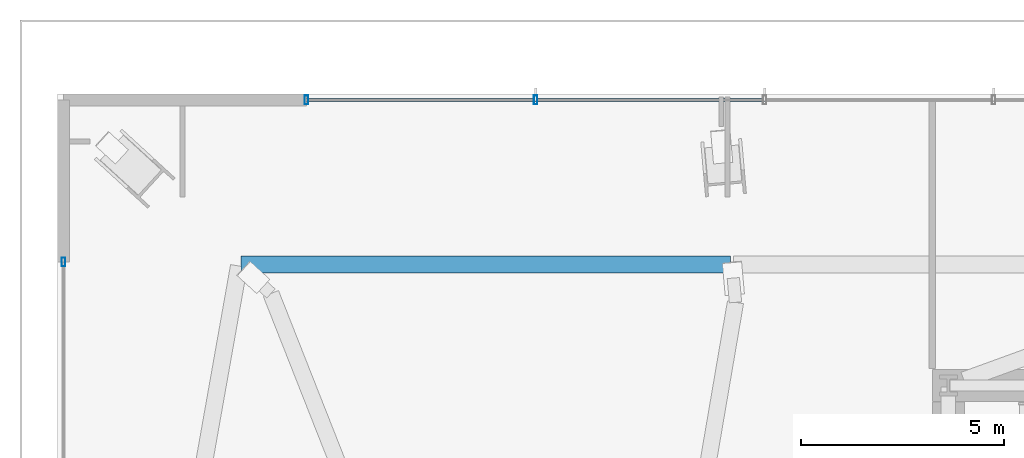
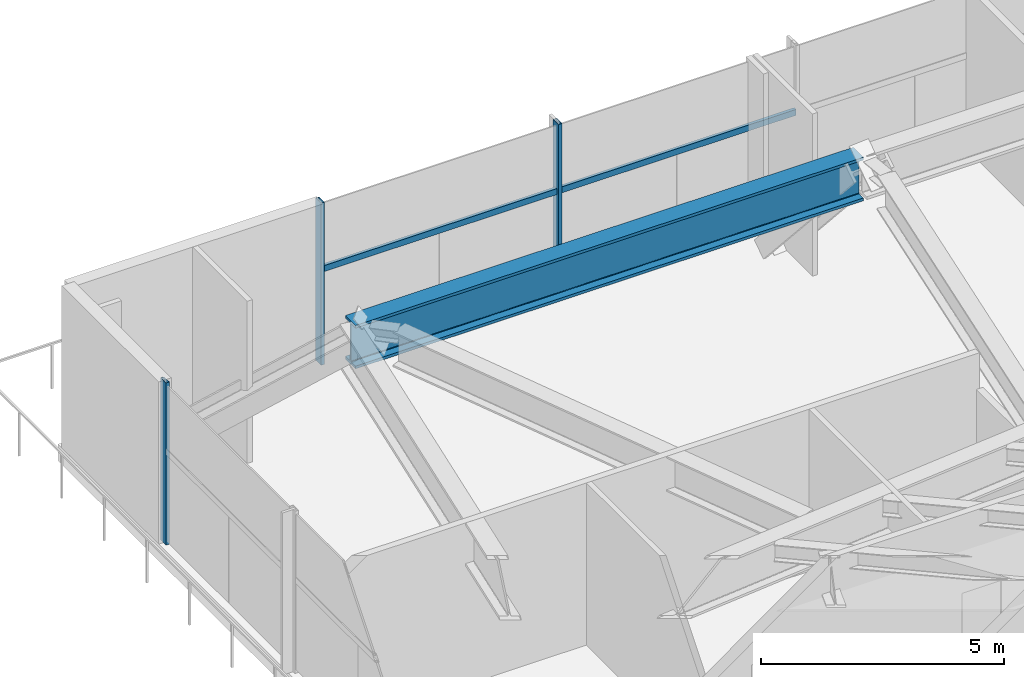
# One storey, part 10 of 29: 5 members, 1 beam, 2 elements without a shape of their own.
"""IFC4 building model written with IfcOpenShell, lengths in metres."""

from ifc_helpers import new_model, si_unit, direction, frame, origin, origin_2d, place, context, subcontext, project, spatial, hollow_rectangle, i_section, extrude, source, transform, mapped, material, material_profile, profile_set, type_object, type_shapes, element, aggregate, save


model = new_model("IFC4")

# Units and contexts
model_context = context("Model", 3, precision=1e-05, world=origin(), true_north=direction((0.0, 1.0)))
body_context = subcontext(model_context, "Body", "Model", "MODEL_VIEW")
ifc_project = project(units=[si_unit("LENGTHUNIT", "METRE"), si_unit("AREAUNIT", "SQUARE_METRE"), si_unit("VOLUMEUNIT", "CUBIC_METRE"), si_unit("PLANEANGLEUNIT", "RADIAN"), si_unit("MASSUNIT", "GRAM", prefix="KILO")], contexts=[model_context])

# Site, building, storey
site_placement = place(None, origin())
site = spatial("IfcSite", under=ifc_project, at=site_placement, CompositionType="ELEMENT")
building_placement = place(site_placement, origin())
building = spatial("IfcBuilding", under=site, at=building_placement, Name="Astriad Promenade Condominiums", CompositionType="ELEMENT")
storey_placement = place(building_placement, frame((0.0, 0.0, 18.5)))
storey = spatial("IfcBuildingStorey", under=building, at=storey_placement, Name="L04", CompositionType="ELEMENT", Elevation=18.5)

# Beam
ifc_material_1 = material(Name="Steel ASTM A992 Grade 50", Category="steel")
ifc_material_profile_1 = material_profile(ifc_material_1, i_section(OverallWidth=0.4169921875, OverallDepth=1.093505859375, WebThickness=0.0390625, FlangeThickness=0.070068359375, FilletRadius=0.025390625, at=origin_2d()), Name="W40X503")
ifc_profile_set_1 = profile_set([ifc_material_profile_1], Name="Steel ASTM A992 Grade 50")
beam_type = type_object("IfcBeamType", Name="STEEL TRANSFER GIRDER W40X503", PredefinedType="BEAM", material=ifc_profile_set_1)
shared_shape_1 = source(origin(), body_context, "Body", "SweptSolid", [
    extrude(i_section(OverallWidth=0.4169921875, OverallDepth=1.093505859375, WebThickness=0.0390625, FlangeThickness=0.070068359375, FilletRadius=0.025390625, at=origin_2d()), origin(), (0.0, 0.0, 1.0), 12.09033203125),
])
type_shapes(beam_type, [shared_shape_1])
beam_placement = place(storey_placement, frame((21.018310546875, 26.989013671875, 3.533203125), z_axis=(-1.0, 0.0, 0.0), x_axis=(0.0, -1.0, 0.0)))
element("IfcBeam", 1, at=beam_placement, inside=storey, type_object=beam_type, Name="Perimeter Spandrel Beam SP-N1-L04", PredefinedType="BEAM", context=body_context, shape_type="MappedRepresentation", body=[
    mapped(shared_shape_1, transform((0.0, 0.0, 0.0), scale=1.0)),
])

# Curtain wall, member
ifc_material_2 = material(Name="Anodised aluminium Black Dark Glass Unitised", Category="aluminium")
curtain_wall_type = type_object("IfcCurtainWallType", Name="CW-POD-DARK", PredefinedType="USERDEFINED", material=ifc_material_2)
curtain_wall_1_placement = place(storey_placement, origin())
curtain_wall_1 = element("IfcCurtainWall", 2, at=curtain_wall_1_placement, inside=storey, type_object=curtain_wall_type, Name="CW-L04-W", ObjectType="UNITISED_CURTAIN_WALL", PredefinedType="USERDEFINED")
ifc_material_3 = material(Name="Anodised aluminium 6063-T6 Black", Category="aluminium")
ifc_material_profile_2 = material_profile(ifc_material_3, hollow_rectangle(XDim=0.0849609375, YDim=0.219970703125, WallThickness=0.0048828125, at=origin_2d()), Name="ALU-MUL-85X220")
ifc_profile_set_2 = profile_set([ifc_material_profile_2], Name="Anodised aluminium 6063-T6 Black")
member_type_1 = type_object("IfcMemberType", Name="MUL-ALU-MUL-85X220", PredefinedType="MULLION", material=ifc_profile_set_2)
shared_shape_2 = source(origin(), body_context, "Body", "SweptSolid", [
    extrude(hollow_rectangle(XDim=0.0849609375, YDim=0.219970703125, WallThickness=0.0048828125, at=origin_2d()), origin(), (0.0, 0.0, 1.0), 4.080078125),
])
type_shapes(member_type_1, [shared_shape_2])
member_1_placement = place(storey_placement, frame((4.550048828125, 27.050048828125, 0.0), z_axis=(0.0, 0.0, 1.0), x_axis=(1.0, 0.0, 0.0)))
member_1 = element("IfcMember", 3, at=member_1_placement, type_object=member_type_1, Name="CW-L04-W-MUL-04", PredefinedType="MULLION", context=body_context, shape_type="MappedRepresentation", body=[
    mapped(shared_shape_2, transform((0.0, 0.0, 0.0), scale=1.0)),
])
aggregate(curtain_wall_1, [member_1])

# Curtain wall, members
curtain_wall_2_placement = place(storey_placement, origin())
curtain_wall_2 = element("IfcCurtainWall", 4, at=curtain_wall_2_placement, inside=storey, type_object=curtain_wall_type, Name="CW-L04-N", ObjectType="UNITISED_CURTAIN_WALL", PredefinedType="USERDEFINED")
member_2_placement = place(storey_placement, frame((10.550048828125, 31.050048828125, 0.0), z_axis=(0.0, 0.0, 1.0), x_axis=(1.0, 0.0, 0.0)))
member_2 = element("IfcMember", 5, at=member_2_placement, type_object=member_type_1, Name="CW-L04-N-MUL-00", PredefinedType="MULLION", context=body_context, shape_type="MappedRepresentation", body=[
    mapped(shared_shape_2, transform((0.0, 0.0, 0.0), scale=1.0)),
])
member_3_placement = place(storey_placement, frame((16.20556640625, 31.050048828125, 0.0), z_axis=(0.0, 0.0, 1.0), x_axis=(1.0, 0.0, 0.0)))
member_3 = element("IfcMember", 6, at=member_3_placement, type_object=member_type_1, Name="CW-L04-N-MUL-01", PredefinedType="MULLION", context=body_context, shape_type="MappedRepresentation", body=[
    mapped(shared_shape_2, transform((0.0, 0.0, 0.0), scale=1.0)),
])
ifc_material_profile_3 = material_profile(ifc_material_3, hollow_rectangle(XDim=0.074951171875, YDim=0.14990234375, WallThickness=0.004150390625, at=origin_2d()), Name="ALU-TRN-75X150")
ifc_profile_set_3 = profile_set([ifc_material_profile_3], Name="Anodised aluminium 6063-T6 Black")
member_type_2 = type_object("IfcMemberType", Name="TRN-ALU-TRN-75X150", PredefinedType="USERDEFINED", material=ifc_profile_set_3)
shared_shape_3 = source(origin(), body_context, "Body", "SweptSolid", [
    extrude(hollow_rectangle(XDim=0.074951171875, YDim=0.14990234375, WallThickness=0.004150390625, at=origin_2d()), origin(), (0.0, 0.0, 1.0), 5.655517578125),
])
type_shapes(member_type_2, [shared_shape_3])
member_4_placement = place(storey_placement, frame((10.550048828125, 31.050048828125, 2.35009765625), z_axis=(1.0, 0.0, 0.0), x_axis=(0.0, 1.0, 0.0)))
member_4 = element("IfcMember", 7, at=member_4_placement, type_object=member_type_2, Name="CW-L04-N-TRN-00-0", ObjectType="TRANSOM", PredefinedType="USERDEFINED", context=body_context, shape_type="MappedRepresentation", body=[
    mapped(shared_shape_3, transform((0.0, 0.0, 0.0), scale=1.0)),
])
member_5_placement = place(storey_placement, frame((16.20556640625, 31.050048828125, 2.35009765625), z_axis=(1.0, 0.0, 0.0), x_axis=(0.0, 1.0, 0.0)))
member_5 = element("IfcMember", 8, at=member_5_placement, type_object=member_type_2, Name="CW-L04-N-TRN-01-0", ObjectType="TRANSOM", PredefinedType="USERDEFINED", context=body_context, shape_type="MappedRepresentation", body=[
    mapped(shared_shape_3, transform((0.0, 0.0, 0.0), scale=1.0)),
])
aggregate(curtain_wall_2, [member_2, member_3, member_4, member_5])

save(model, "model.ifc")
